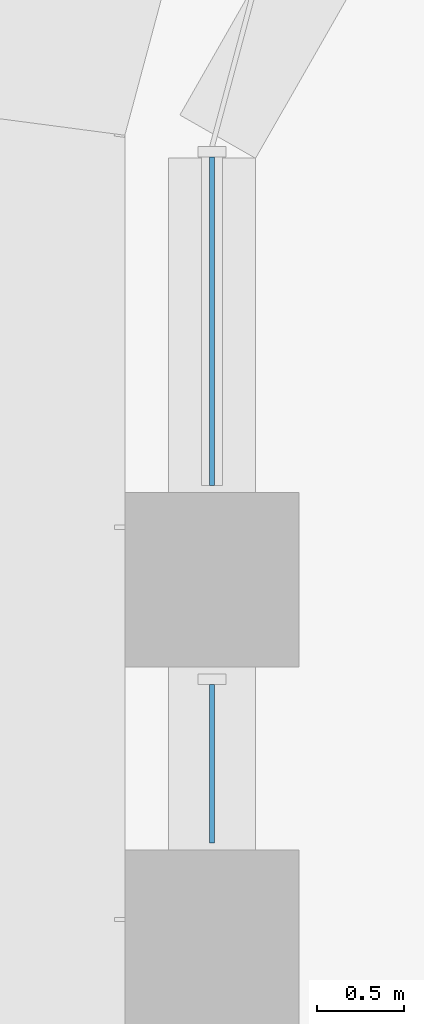
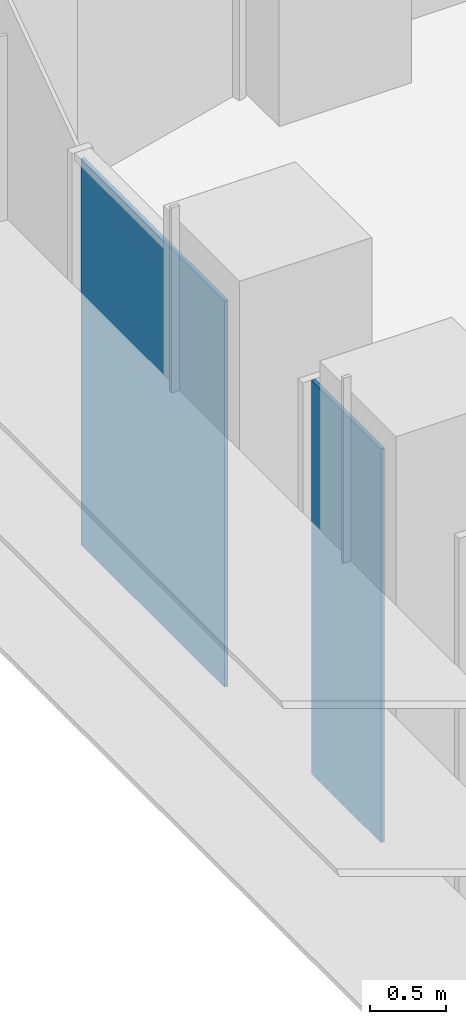
# One storey, part 14 of 23: 2 plates, 1 element without a shape of its own.
"""IFC4 building model written with IfcOpenShell, lengths in metres."""

import ifcopenshell
import ifcopenshell.guid

model = None  # the IFC model being written
_history = None  # IfcOwnerHistory: only IFC2X3 demands one
_inside = {}  # id of a spatial element -> (the spatial element, [elements in it])
_under = {}  # id of a project, library or spatial element -> (it, [spatial elements below it])
_declared = {}  # id of a project -> (the project, [libraries it declares])
_typed = {}  # id of a type object -> (the type object, [elements of that type])
_made_of = {}  # id of a material, layer set ... -> (it, [elements and type objects made of it])


def new_model(schema):
    """Start an empty IFC model of exactly this schema.

    Asked for "IFC4X3", IfcOpenShell would pick the latest addendum, in which some entities
    have other attributes; the version numbers below select the first issue.
    IFC2X3 requires an IfcOwnerHistory on every rooted entity: one is made here for all.
    """
    global model, _history
    if schema == "IFC4X3":
        model = ifcopenshell.file(schema_version=(4, 3, 0, 0))
    else:
        model = ifcopenshell.file(schema=schema)
    _inside.clear()
    _under.clear()
    _declared.clear()
    _typed.clear()
    _made_of.clear()
    _history = None
    if model.schema == "IFC2X3":
        org = make("IfcOrganization", Name="unknown")
        user = make(
            "IfcPersonAndOrganization",
            ThePerson=make("IfcPerson", FamilyName="unknown"),
            TheOrganization=org,
        )
        app = make(
            "IfcApplication",
            ApplicationDeveloper=org,
            Version="unknown",
            ApplicationFullName="unknown",
            ApplicationIdentifier="unknown",
        )
        _history = make(
            "IfcOwnerHistory",
            OwningUser=user,
            OwningApplication=app,
            ChangeAction="ADDED",
            CreationDate=0,
        )
    return model


def make(cls, **values):
    """One entity of the class cls with the attributes given. An attribute that is None is left unset."""
    return model.create_entity(
        cls, **{name: value for name, value in values.items() if value is not None}
    )


def rooted(cls, **values):
    """An entity with a GlobalId (a new one), such as an element, a storey or a relation."""
    return make(cls, GlobalId=ifcopenshell.guid.new(), OwnerHistory=_history, **values)


def si_unit(unit_type, name, prefix=None):
    """IfcSIUnit, for example si_unit("LENGTHUNIT", "METRE", prefix="MILLI")."""
    return make("IfcSIUnit", UnitType=unit_type, Prefix=prefix, Name=name)


def assignment(units):
    """IfcUnitAssignment: the units of a project."""
    return None if units is None else make("IfcUnitAssignment", Units=units)


def point(xyz):
    """IfcCartesianPoint."""
    return None if xyz is None else make("IfcCartesianPoint", Coordinates=xyz)


def direction(xyz):
    """IfcDirection."""
    return None if xyz is None else make("IfcDirection", DirectionRatios=xyz)


def frame(location, z_axis=None, x_axis=None):
    """IfcAxis2Placement3D, a coordinate frame: its origin and axes. An axis left out is left unset."""
    return make(
        "IfcAxis2Placement3D",
        Location=point(location),
        Axis=direction(z_axis),
        RefDirection=direction(x_axis),
    )


def origin():
    """The frame at (0, 0, 0) with its axes left unset."""
    return frame((0.0, 0.0, 0.0))


def place(relative_to, where):
    """IfcLocalPlacement: puts the frame where relative to a parent placement (None: the world)."""
    return make(
        "IfcLocalPlacement", PlacementRelTo=relative_to, RelativePlacement=where
    )


def context(
    kind, dimensions, precision=None, world=None, true_north=None, identifier=None
):
    """IfcGeometricRepresentationContext, for example the 3D "Model" context."""
    return make(
        "IfcGeometricRepresentationContext",
        ContextIdentifier=identifier,
        ContextType=kind,
        CoordinateSpaceDimension=dimensions,
        Precision=precision,
        WorldCoordinateSystem=world,
        TrueNorth=true_north,
    )


def subcontext(parent, identifier, kind, view, scale=None):
    """IfcGeometricRepresentationSubContext, for example "Body" below "Model"."""
    return make(
        "IfcGeometricRepresentationSubContext",
        ContextIdentifier=identifier,
        ContextType=kind,
        ParentContext=parent,
        TargetScale=scale,
        TargetView=view,
    )


def project(units=None, contexts=None):
    """IfcProject with its units and contexts."""
    return rooted(
        "IfcProject",
        Name="project",
        RepresentationContexts=contexts,
        UnitsInContext=assignment(units),
    )


def spatial(cls, under=None, at=None, **own):
    """A site, building, storey or space (cls), placed at a placement, below another one or the project."""
    s = rooted(cls, ObjectPlacement=at, **own)
    if under is not None:
        _under.setdefault(under.id(), (under, []))[1].append(s)
    return s


def polyline(points):
    """IfcPolyline through the points."""
    return make("IfcPolyline", Points=[point(p) for p in points])


def outline(outer, holes=None, kind="AREA"):
    """IfcArbitraryClosedProfileDef: a profile drawn as a closed curve; with holes, ...WithVoids."""
    if holes is None:
        return make("IfcArbitraryClosedProfileDef", ProfileType=kind, OuterCurve=outer)
    return make(
        "IfcArbitraryProfileDefWithVoids",
        ProfileType=kind,
        OuterCurve=outer,
        InnerCurves=holes,
    )


def extrude(swept, where, along, depth):
    """IfcExtrudedAreaSolid: the profile swept, set in the frame where, extruded along a direction by depth."""
    return make(
        "IfcExtrudedAreaSolid",
        SweptArea=swept,
        Position=where,
        ExtrudedDirection=direction(along),
        Depth=depth,
    )


def shape(context_of_items, identifier, shape_type, items):
    """IfcShapeRepresentation: the items that make up one representation, for example the "Body"."""
    return make(
        "IfcShapeRepresentation",
        ContextOfItems=context_of_items,
        RepresentationIdentifier=identifier,
        RepresentationType=shape_type,
        Items=items,
    )


def source(mapping_origin, context_of_items, identifier, shape_type, items):
    """IfcRepresentationMap: a shape defined once, which mapped items show again and again."""
    return make(
        "IfcRepresentationMap",
        MappingOrigin=mapping_origin,
        MappedRepresentation=shape(context_of_items, identifier, shape_type, items),
    )


def transform(
    local_origin,
    x_axis=None,
    y_axis=None,
    z_axis=None,
    scale=None,
    scale2=None,
    scale3=None,
    uniform=True,
):
    """IfcCartesianTransformationOperator3D, or its non-uniform kind. x_axis, y_axis, z_axis: its Axis1, 2, 3."""
    if uniform:
        return make(
            "IfcCartesianTransformationOperator3D",
            Axis1=direction(x_axis),
            Axis2=direction(y_axis),
            LocalOrigin=point(local_origin),
            Scale=scale,
            Axis3=direction(z_axis),
        )
    return make(
        "IfcCartesianTransformationOperator3DnonUniform",
        Axis1=direction(x_axis),
        Axis2=direction(y_axis),
        LocalOrigin=point(local_origin),
        Scale=scale,
        Axis3=direction(z_axis),
        Scale2=scale2,
        Scale3=scale3,
    )


def mapped(mapping_source, mapping_target):
    """IfcMappedItem: shows the shape of a source again, moved by a transform."""
    return make(
        "IfcMappedItem", MappingSource=mapping_source, MappingTarget=mapping_target
    )


def material(Name=None, Category=None):
    """IfcMaterial."""
    return make("IfcMaterial", Name=Name, Category=Category)


def layer(
    of_material, thickness, ventilated=None, Name=None, Category=None, Priority=None
):
    """IfcMaterialLayer: one layer of a wall or slab, of a material (None: an air gap)."""
    return make(
        "IfcMaterialLayer",
        Material=of_material,
        LayerThickness=thickness,
        IsVentilated=ventilated,
        Name=Name,
        Category=Category,
        Priority=Priority,
    )


def layer_set(layers, Name=None):
    """IfcMaterialLayerSet."""
    return make("IfcMaterialLayerSet", MaterialLayers=layers, LayerSetName=Name)


def made_of(thing, what):
    """Note that an element or type object is made of a material, layer set ...; save() writes the relation."""
    if what is not None:
        _made_of.setdefault(what.id(), (what, []))[1].append(thing)
    return thing


def type_object(cls, material=None, **own):
    """A type object (cls), such as IfcWallType, which elements share."""
    return made_of(rooted(cls, **own), material)


def element(
    cls,
    number,
    at=None,
    inside=None,
    cuts=None,
    type_object=None,
    material=None,
    context=None,
    identifier="Body",
    shape_type=None,
    held_by="IfcProductDefinitionShape",
    body=None,
    shapes=None,
    **own,
):
    """One element of the class cls, such as IfcWall. Its Tag is "e" and its number.

    at: its placement. inside: the storey or other place that contains it. cuts: it is an
    opening in that element (IfcRelVoidsElement). A single representation is given by context,
    identifier, shape_type and body (its items); several are given by shapes. held_by: the class
    of the entity that holds the representations. save() writes the other relations.
    """
    e = rooted(cls, Tag="e%d" % number, ObjectPlacement=at, **own)
    if body is not None:
        shapes = [shape(context, identifier, shape_type, body)]
    if shapes is not None:
        e.Representation = make(held_by, Representations=shapes)
    if inside is not None:
        _inside.setdefault(inside.id(), (inside, []))[1].append(e)
    if cuts is not None:
        rooted(
            "IfcRelVoidsElement", RelatingBuildingElement=cuts, RelatedOpeningElement=e
        )
    if type_object is not None:
        _typed.setdefault(type_object.id(), (type_object, []))[1].append(e)
    return made_of(e, material)


def aggregate(whole, parts):
    """IfcRelAggregates: a whole, such as a stair, and the parts it consists of."""
    return rooted("IfcRelAggregates", RelatingObject=whole, RelatedObjects=parts)


def save(model, path):
    """Write the relations noted so far, then the file.

    IfcRelAggregates (storeys below a building ...), IfcRelContainedInSpatialStructure (elements
    in a storey), IfcRelDefinesByType, IfcRelAssociatesMaterial and IfcRelDeclares: one each for
    every whole, place, type object, material and project.
    """
    for whole, parts in _under.values():
        aggregate(whole, parts)
    for where, things in _inside.values():
        rooted(
            "IfcRelContainedInSpatialStructure",
            RelatedElements=things,
            RelatingStructure=where,
        )
    for kind, things in _typed.values():
        rooted("IfcRelDefinesByType", RelatedObjects=things, RelatingType=kind)
    for what, things in _made_of.values():
        rooted("IfcRelAssociatesMaterial", RelatedObjects=things, RelatingMaterial=what)
    for by, libraries in _declared.values():
        rooted("IfcRelDeclares", RelatingContext=by, RelatedDefinitions=libraries)
    model.write(path)


model = new_model("IFC4")

# Units and contexts
model_context = context("Model", 3, precision=1e-05, world=origin(), true_north=direction((0.0, 1.0)))
body_context = subcontext(model_context, "Body", "Model", "MODEL_VIEW")
ifc_project = project(units=[si_unit("LENGTHUNIT", "METRE"), si_unit("AREAUNIT", "SQUARE_METRE"), si_unit("VOLUMEUNIT", "CUBIC_METRE"), si_unit("PLANEANGLEUNIT", "RADIAN"), si_unit("MASSUNIT", "GRAM", prefix="KILO")], contexts=[model_context])

# Site, building, storey
site_placement = place(None, origin())
site = spatial("IfcSite", under=ifc_project, at=site_placement, CompositionType="ELEMENT")
building_placement = place(site_placement, origin())
building = spatial("IfcBuilding", under=site, at=building_placement, Name="Zarbagh Exchange Tower", CompositionType="ELEMENT")
storey_placement = place(building_placement, frame((0.0, 0.0, 39.60009765625)))
storey = spatial("IfcBuildingStorey", under=building, at=storey_placement, Name="L08", CompositionType="ELEMENT", Elevation=39.60009765625)

# Curtain wall, plates
ifc_material_1 = material(Name="Anodised aluminium frame and glazing", Category="aluminium")
curtain_wall_type = type_object("IfcCurtainWallType", Name="CWA Ribbon glazing, lower zones", PredefinedType="NOTDEFINED", material=ifc_material_1)
curtain_wall_placement = place(storey_placement, origin())
curtain_wall = element("IfcCurtainWall", 1, at=curtain_wall_placement, inside=storey, type_object=curtain_wall_type, Name="CWA28 curtain wall", PredefinedType="NOTDEFINED")
ifc_material_2 = material(Name="Low-e double glazed unit, 6+12+6 mm")
ifc_layer = layer(ifc_material_2, 0.028076171875)
ifc_layer_set = layer_set([ifc_layer], Name="PAA Glazing panel, Low-e double glazed unit, 6+12+6 mm")
plate_type = type_object("IfcPlateType", Name="PAA Glazing panel, Low-e double glazed unit, 6+12+6 mm", PredefinedType="CURTAIN_PANEL", material=ifc_layer_set)
shared_shape_1 = source(origin(), body_context, "Body", "SweptSolid", [
    extrude(outline(polyline([(0.0, -0.013916015625), (0.909912109375, -0.013916015625), (0.909912109375, 0.013916015625), (0.0, 0.013916015625), (0.0, -0.013916015625)])), origin(), (0.0, 0.0, 1.0), 3.14990234375),
])
placement = place(storey_placement, origin())
plate_1 = element("IfcPlate", 2, at=placement, type_object=plate_type, Name="CWA28 glazing panel 2.1", PredefinedType="CURTAIN_PANEL", context=body_context, shape_type="MappedRepresentation", body=[
    mapped(shared_shape_1, transform((-6.25, 26.099853515625, 0.0), x_axis=(0.0, -1.0, 0.0), y_axis=(1.0, 0.0, 0.0), z_axis=(0.0, 0.0, 1.0))),
])
shared_shape_2 = source(origin(), body_context, "Body", "SweptSolid", [
    extrude(outline(polyline([(0.0, -0.013916015625), (1.88427734375, -0.013916015625), (1.88427734375, 0.013916015625), (0.0, 0.013916015625), (0.0, -0.013916015625)])), origin(), (0.0, 0.0, 1.0), 3.090087890625),
])
plate_2 = element("IfcPlate", 3, at=placement, type_object=plate_type, Name="CWA28 glazing panel 1.1", PredefinedType="CURTAIN_PANEL", context=body_context, shape_type="MappedRepresentation", body=[
    mapped(shared_shape_2, transform((-6.25, 29.124267578125, 0.0), x_axis=(0.0, -1.0, 0.0), y_axis=(1.0, 0.0, 0.0), z_axis=(0.0, 0.0, 1.0))),
])
aggregate(curtain_wall, [plate_2, plate_1])

save(model, "model.ifc")
